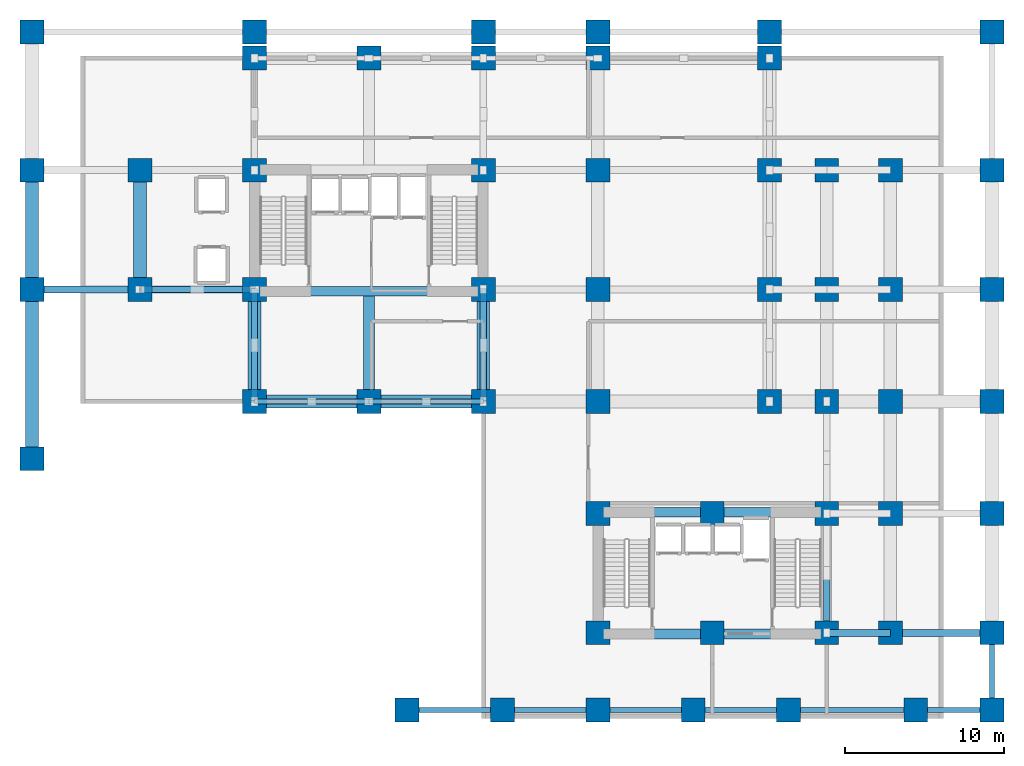
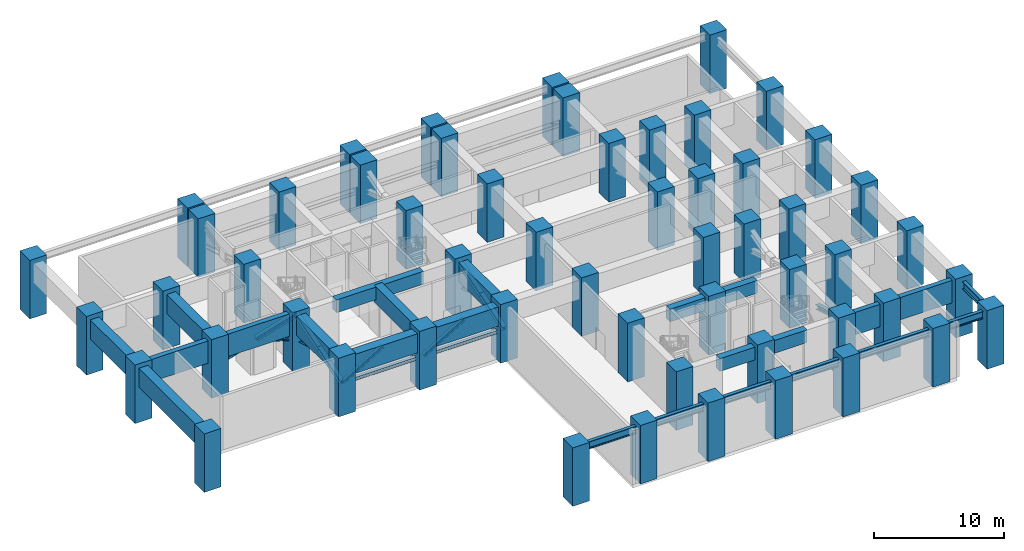
# One storey, part 1 of 9: 55 columns, 22 beams, 16 members.
"""IFC4 building model written with IfcOpenShell, lengths in metres."""

import ifcopenshell
import ifcopenshell.guid

model = None  # the IFC model being written
_history = None  # IfcOwnerHistory: only IFC2X3 demands one
_inside = {}  # id of a spatial element -> (the spatial element, [elements in it])
_under = {}  # id of a project, library or spatial element -> (it, [spatial elements below it])
_declared = {}  # id of a project -> (the project, [libraries it declares])
_typed = {}  # id of a type object -> (the type object, [elements of that type])
_made_of = {}  # id of a material, layer set ... -> (it, [elements and type objects made of it])


def new_model(schema):
    """Start an empty IFC model of exactly this schema.

    Asked for "IFC4X3", IfcOpenShell would pick the latest addendum, in which some entities
    have other attributes; the version numbers below select the first issue.
    IFC2X3 requires an IfcOwnerHistory on every rooted entity: one is made here for all.
    """
    global model, _history
    if schema == "IFC4X3":
        model = ifcopenshell.file(schema_version=(4, 3, 0, 0))
    else:
        model = ifcopenshell.file(schema=schema)
    _inside.clear()
    _under.clear()
    _declared.clear()
    _typed.clear()
    _made_of.clear()
    _history = None
    if model.schema == "IFC2X3":
        org = make("IfcOrganization", Name="unknown")
        user = make(
            "IfcPersonAndOrganization",
            ThePerson=make("IfcPerson", FamilyName="unknown"),
            TheOrganization=org,
        )
        app = make(
            "IfcApplication",
            ApplicationDeveloper=org,
            Version="unknown",
            ApplicationFullName="unknown",
            ApplicationIdentifier="unknown",
        )
        _history = make(
            "IfcOwnerHistory",
            OwningUser=user,
            OwningApplication=app,
            ChangeAction="ADDED",
            CreationDate=0,
        )
    return model


def make(cls, **values):
    """One entity of the class cls with the attributes given. An attribute that is None is left unset."""
    return model.create_entity(
        cls, **{name: value for name, value in values.items() if value is not None}
    )


def rooted(cls, **values):
    """An entity with a GlobalId (a new one), such as an element, a storey or a relation."""
    return make(cls, GlobalId=ifcopenshell.guid.new(), OwnerHistory=_history, **values)


def si_unit(unit_type, name, prefix=None):
    """IfcSIUnit, for example si_unit("LENGTHUNIT", "METRE", prefix="MILLI")."""
    return make("IfcSIUnit", UnitType=unit_type, Prefix=prefix, Name=name)


def assignment(units):
    """IfcUnitAssignment: the units of a project."""
    return None if units is None else make("IfcUnitAssignment", Units=units)


def point(xyz):
    """IfcCartesianPoint."""
    return None if xyz is None else make("IfcCartesianPoint", Coordinates=xyz)


def direction(xyz):
    """IfcDirection."""
    return None if xyz is None else make("IfcDirection", DirectionRatios=xyz)


def frame(location, z_axis=None, x_axis=None):
    """IfcAxis2Placement3D, a coordinate frame: its origin and axes. An axis left out is left unset."""
    return make(
        "IfcAxis2Placement3D",
        Location=point(location),
        Axis=direction(z_axis),
        RefDirection=direction(x_axis),
    )


def frame_2d(location, x_axis=None):
    """IfcAxis2Placement2D, a coordinate frame in the plane: its origin and x axis."""
    return make(
        "IfcAxis2Placement2D", Location=point(location), RefDirection=direction(x_axis)
    )


def origin():
    """The frame at (0, 0, 0) with its axes left unset."""
    return frame((0.0, 0.0, 0.0))


def origin_2d():
    """The frame at (0, 0) in the plane with its x axis left unset."""
    return frame_2d((0.0, 0.0))


def place(relative_to, where):
    """IfcLocalPlacement: puts the frame where relative to a parent placement (None: the world)."""
    return make(
        "IfcLocalPlacement", PlacementRelTo=relative_to, RelativePlacement=where
    )


def context(
    kind, dimensions, precision=None, world=None, true_north=None, identifier=None
):
    """IfcGeometricRepresentationContext, for example the 3D "Model" context."""
    return make(
        "IfcGeometricRepresentationContext",
        ContextIdentifier=identifier,
        ContextType=kind,
        CoordinateSpaceDimension=dimensions,
        Precision=precision,
        WorldCoordinateSystem=world,
        TrueNorth=true_north,
    )


def subcontext(parent, identifier, kind, view, scale=None):
    """IfcGeometricRepresentationSubContext, for example "Body" below "Model"."""
    return make(
        "IfcGeometricRepresentationSubContext",
        ContextIdentifier=identifier,
        ContextType=kind,
        ParentContext=parent,
        TargetScale=scale,
        TargetView=view,
    )


def project(units=None, contexts=None):
    """IfcProject with its units and contexts."""
    return rooted(
        "IfcProject",
        Name="project",
        RepresentationContexts=contexts,
        UnitsInContext=assignment(units),
    )


def spatial(cls, under=None, at=None, **own):
    """A site, building, storey or space (cls), placed at a placement, below another one or the project."""
    s = rooted(cls, ObjectPlacement=at, **own)
    if under is not None:
        _under.setdefault(under.id(), (under, []))[1].append(s)
    return s


def profile(cls, at=None, kind="AREA", **sizes):
    """A parametric profile (cls). Its sizes go by their IFC names, for example OverallWidth=200.0."""
    return make(cls, ProfileType=kind, Position=at, **sizes)


def rectangle(**sizes):
    """IfcRectangleProfileDef."""
    return profile("IfcRectangleProfileDef", **sizes)


def i_section(**sizes):
    """IfcIShapeProfileDef."""
    return profile("IfcIShapeProfileDef", **sizes)


def extrude(swept, where, along, depth):
    """IfcExtrudedAreaSolid: the profile swept, set in the frame where, extruded along a direction by depth."""
    return make(
        "IfcExtrudedAreaSolid",
        SweptArea=swept,
        Position=where,
        ExtrudedDirection=direction(along),
        Depth=depth,
    )


def shape(context_of_items, identifier, shape_type, items):
    """IfcShapeRepresentation: the items that make up one representation, for example the "Body"."""
    return make(
        "IfcShapeRepresentation",
        ContextOfItems=context_of_items,
        RepresentationIdentifier=identifier,
        RepresentationType=shape_type,
        Items=items,
    )


def source(mapping_origin, context_of_items, identifier, shape_type, items):
    """IfcRepresentationMap: a shape defined once, which mapped items show again and again."""
    return make(
        "IfcRepresentationMap",
        MappingOrigin=mapping_origin,
        MappedRepresentation=shape(context_of_items, identifier, shape_type, items),
    )


def transform(
    local_origin,
    x_axis=None,
    y_axis=None,
    z_axis=None,
    scale=None,
    scale2=None,
    scale3=None,
    uniform=True,
):
    """IfcCartesianTransformationOperator3D, or its non-uniform kind. x_axis, y_axis, z_axis: its Axis1, 2, 3."""
    if uniform:
        return make(
            "IfcCartesianTransformationOperator3D",
            Axis1=direction(x_axis),
            Axis2=direction(y_axis),
            LocalOrigin=point(local_origin),
            Scale=scale,
            Axis3=direction(z_axis),
        )
    return make(
        "IfcCartesianTransformationOperator3DnonUniform",
        Axis1=direction(x_axis),
        Axis2=direction(y_axis),
        LocalOrigin=point(local_origin),
        Scale=scale,
        Axis3=direction(z_axis),
        Scale2=scale2,
        Scale3=scale3,
    )


def mapped(mapping_source, mapping_target):
    """IfcMappedItem: shows the shape of a source again, moved by a transform."""
    return make(
        "IfcMappedItem", MappingSource=mapping_source, MappingTarget=mapping_target
    )


def material(Name=None, Category=None):
    """IfcMaterial."""
    return make("IfcMaterial", Name=Name, Category=Category)


def material_profile(
    of_material, cross_section, Name=None, Category=None, Priority=None
):
    """IfcMaterialProfile: a cross section and its material."""
    return make(
        "IfcMaterialProfile",
        Name=Name,
        Material=of_material,
        Profile=cross_section,
        Priority=Priority,
        Category=Category,
    )


def profile_set(profiles, Name=None, composite=None):
    """IfcMaterialProfileSet."""
    return make(
        "IfcMaterialProfileSet",
        Name=Name,
        MaterialProfiles=profiles,
        CompositeProfile=composite,
    )


def made_of(thing, what):
    """Note that an element or type object is made of a material, layer set ...; save() writes the relation."""
    if what is not None:
        _made_of.setdefault(what.id(), (what, []))[1].append(thing)
    return thing


def type_object(cls, material=None, **own):
    """A type object (cls), such as IfcWallType, which elements share."""
    return made_of(rooted(cls, **own), material)


def element(
    cls,
    number,
    at=None,
    inside=None,
    cuts=None,
    type_object=None,
    material=None,
    context=None,
    identifier="Body",
    shape_type=None,
    held_by="IfcProductDefinitionShape",
    body=None,
    shapes=None,
    **own,
):
    """One element of the class cls, such as IfcWall. Its Tag is "e" and its number.

    at: its placement. inside: the storey or other place that contains it. cuts: it is an
    opening in that element (IfcRelVoidsElement). A single representation is given by context,
    identifier, shape_type and body (its items); several are given by shapes. held_by: the class
    of the entity that holds the representations. save() writes the other relations.
    """
    e = rooted(cls, Tag="e%d" % number, ObjectPlacement=at, **own)
    if body is not None:
        shapes = [shape(context, identifier, shape_type, body)]
    if shapes is not None:
        e.Representation = make(held_by, Representations=shapes)
    if inside is not None:
        _inside.setdefault(inside.id(), (inside, []))[1].append(e)
    if cuts is not None:
        rooted(
            "IfcRelVoidsElement", RelatingBuildingElement=cuts, RelatedOpeningElement=e
        )
    if type_object is not None:
        _typed.setdefault(type_object.id(), (type_object, []))[1].append(e)
    return made_of(e, material)


def aggregate(whole, parts):
    """IfcRelAggregates: a whole, such as a stair, and the parts it consists of."""
    return rooted("IfcRelAggregates", RelatingObject=whole, RelatedObjects=parts)


def save(model, path):
    """Write the relations noted so far, then the file.

    IfcRelAggregates (storeys below a building ...), IfcRelContainedInSpatialStructure (elements
    in a storey), IfcRelDefinesByType, IfcRelAssociatesMaterial and IfcRelDeclares: one each for
    every whole, place, type object, material and project.
    """
    for whole, parts in _under.values():
        aggregate(whole, parts)
    for where, things in _inside.values():
        rooted(
            "IfcRelContainedInSpatialStructure",
            RelatedElements=things,
            RelatingStructure=where,
        )
    for kind, things in _typed.values():
        rooted("IfcRelDefinesByType", RelatedObjects=things, RelatingType=kind)
    for what, things in _made_of.values():
        rooted("IfcRelAssociatesMaterial", RelatedObjects=things, RelatingMaterial=what)
    for by, libraries in _declared.values():
        rooted("IfcRelDeclares", RelatingContext=by, RelatedDefinitions=libraries)
    model.write(path)


model = new_model("IFC4")

# Units and contexts
model_context = context("Model", 3, precision=1e-05, world=origin(), true_north=direction((0.0, 1.0)))
body_context = subcontext(model_context, "Body", "Model", "MODEL_VIEW")
ifc_project = project(units=[si_unit("LENGTHUNIT", "METRE"), si_unit("AREAUNIT", "SQUARE_METRE"), si_unit("VOLUMEUNIT", "CUBIC_METRE"), si_unit("PLANEANGLEUNIT", "RADIAN"), si_unit("MASSUNIT", "GRAM", prefix="KILO")], contexts=[model_context])

# Site, building, storey
site_placement = place(None, origin())
site = spatial("IfcSite", under=ifc_project, at=site_placement, CompositionType="ELEMENT")
building_placement = place(site_placement, origin())
building = spatial("IfcBuilding", under=site, at=building_placement, Name="Kaliganga Portal Commons", CompositionType="ELEMENT")
storey_placement = place(building_placement, frame((0.0, 0.0, 19.800048828125)))
storey = spatial("IfcBuildingStorey", under=building, at=storey_placement, Name="L04", CompositionType="ELEMENT", Elevation=19.800048828125)

# Columns
ifc_material_1 = material(Name="Concrete C70/85", Category="concrete")
ifc_material_profile_1 = material_profile(ifc_material_1, rectangle(XDim=1.5, YDim=1.5, at=origin_2d()), Name="RC 1500x1500")
ifc_profile_set_1 = profile_set([ifc_material_profile_1], Name="Concrete C70/85")
column_type = type_object("IfcColumnType", Name="COL-MEGA-Z0", PredefinedType="COLUMN", material=ifc_profile_set_1)
shared_shape_1 = source(origin(), body_context, "Body", "SweptSolid", [
    extrude(rectangle(XDim=1.5, YDim=1.5, at=origin_2d()), origin(), (0.0, 0.0, 1.0), 5.5),
])
for number, where, z_axis, x_axis, name in (
    (1, (7.199951171875, 28.64990234375, 0.0), (0.0, 0.0, 1.0), (1.0, 0.0, 0.0), "Column MC-01 L04"),
    (2, (7.199951171875, 36.14990234375, 0.0), (0.0, 0.0, 1.0), (1.0, 0.0, 0.0), "Column MC-01 L04"),
    (3, (14.39990234375, 21.60009765625, 0.0), (0.0, 0.0, 1.0), (1.0, 0.0, 0.0), "Column MC-01 L04"),
    (4, (14.39990234375, 28.64990234375, 0.0), (0.0, 0.0, 1.0), (1.0, 0.0, 0.0), "Column MC-01 L04"),
    (5, (14.39990234375, 36.14990234375, 0.0), (0.0, 0.0, 1.0), (1.0, 0.0, 0.0), "Column MC-01 L04"),
    (6, (14.39990234375, 43.199951171875, 0.0), (0.0, 0.0, 1.0), (1.0, 0.0, 0.0), "Column MC-01 L04"),
    (7, (21.60009765625, 21.60009765625, 0.0), (0.0, 0.0, 1.0), (1.0, 0.0, 0.0), "Column MC-01 L04"),
    (8, (21.60009765625, 43.199951171875, 0.0), (0.0, 0.0, 1.0), (1.0, 0.0, 0.0), "Column MC-01 L04"),
    (9, (28.800048828125, 21.60009765625, 0.0), (0.0, 0.0, 1.0), (1.0, 0.0, 0.0), "Column MC-01 L04"),
    (10, (28.800048828125, 28.64990234375, 0.0), (0.0, 0.0, 1.0), (1.0, 0.0, 0.0), "Column MC-01 L04"),
    (11, (28.800048828125, 36.14990234375, 0.0), (0.0, 0.0, 1.0), (1.0, 0.0, 0.0), "Column MC-01 L04"),
    (12, (28.800048828125, 43.199951171875, 0.0), (0.0, 0.0, 1.0), (1.0, 0.0, 0.0), "Column MC-01 L04"),
    (13, (36.0, 21.60009765625, 0.0), (0.0, 0.0, 1.0), (1.0, 0.0, 0.0), "Column MC-01 L04"),
    (14, (36.0, 43.199951171875, 0.0), (0.0, 0.0, 1.0), (1.0, 0.0, 0.0), "Column MC-01 L04"),
    (15, (36.0, 28.64990234375, 0.0), (0.0, 0.0, 1.0), (1.0, 0.0, 0.0), "Column MC-01 L04"),
    (16, (36.0, 36.14990234375, 0.0), (0.0, 0.0, 1.0), (1.0, 0.0, 0.0), "Column MC-01 L04"),
    (17, (46.800048828125, 21.60009765625, 0.0), (0.0, 0.0, 1.0), (1.0, 0.0, 0.0), "Column MC-01 L04"),
    (18, (46.800048828125, 28.64990234375, 0.0), (0.0, 0.0, 1.0), (1.0, 0.0, 0.0), "Column MC-01 L04"),
    (19, (46.800048828125, 36.14990234375, 0.0), (0.0, 0.0, 1.0), (1.0, 0.0, 0.0), "Column MC-01 L04"),
    (20, (46.800048828125, 43.199951171875, 0.0), (0.0, 0.0, 1.0), (1.0, 0.0, 0.0), "Column MC-01 L04"),
    (21, (36.0, 7.050048828125, 0.0), (0.0, 0.0, 1.0), (1.0, 0.0, 0.0), "Column MC-01 L04"),
    (22, (36.0, 14.550048828125, 0.0), (0.0, 0.0, 1.0), (1.0, 0.0, 0.0), "Column MC-01 L04"),
    (23, (43.199951171875, 7.050048828125, 0.0), (0.0, 0.0, 1.0), (1.0, 0.0, 0.0), "Column MC-01 L04"),
    (24, (43.199951171875, 14.550048828125, 0.0), (0.0, 0.0, 1.0), (1.0, 0.0, 0.0), "Column MC-01 L04"),
    (25, (50.39990234375, 7.050048828125, 0.0), (0.0, 0.0, 1.0), (1.0, 0.0, 0.0), "Column MC-01 L04"),
    (26, (50.39990234375, 14.550048828125, 0.0), (0.0, 0.0, 1.0), (1.0, 0.0, 0.0), "Column MC-01 L04"),
    (27, (50.39990234375, 21.60009765625, 0.0), (0.0, 0.0, 1.0), (1.0, 0.0, 0.0), "Column MC-01 L04"),
    (28, (50.39990234375, 28.64990234375, 0.0), (0.0, 0.0, 1.0), (1.0, 0.0, 0.0), "Column MC-01 L04"),
    (29, (50.39990234375, 36.14990234375, 0.0), (0.0, 0.0, 1.0), (1.0, 0.0, 0.0), "Column MC-01 L04"),
    (30, (54.39990234375, 7.050048828125, 0.0), (0.0, 0.0, 1.0), (1.0, 0.0, 0.0), "Column MC-01 L04"),
    (31, (54.39990234375, 14.550048828125, 0.0), (0.0, 0.0, 1.0), (1.0, 0.0, 0.0), "Column MC-01 L04"),
    (32, (54.39990234375, 21.60009765625, 0.0), (0.0, 0.0, 1.0), (1.0, 0.0, 0.0), "Column MC-01 L04"),
    (33, (54.39990234375, 28.64990234375, 0.0), (0.0, 0.0, 1.0), (1.0, 0.0, 0.0), "Column MC-01 L04"),
    (34, (54.39990234375, 36.14990234375, 0.0), (0.0, 0.0, 1.0), (1.0, 0.0, 0.0), "Column MC-01 L04"),
    (35, (0.39990234375, 18.0, 0.0), (0.0, 0.0, 1.0), (1.0, 0.0, 0.0), "Column MC-01 L04"),
    (36, (0.39990234375, 28.64990234375, 0.0), (0.0, 0.0, 1.0), (1.0, 0.0, 0.0), "Column MC-01 L04"),
    (37, (0.39990234375, 36.14990234375, 0.0), (0.0, 0.0, 1.0), (1.0, 0.0, 0.0), "Column MC-01 L04"),
    (38, (0.39990234375, 44.85009765625, 0.0), (0.0, 0.0, 1.0), (1.0, 0.0, 0.0), "Column MC-01 L04"),
    (39, (14.39990234375, 44.85009765625, 0.0), (0.0, 0.0, 1.0), (1.0, 0.0, 0.0), "Column MC-01 L04"),
    (40, (28.800048828125, 44.85009765625, 0.0), (0.0, 0.0, 1.0), (1.0, 0.0, 0.0), "Column MC-01 L04"),
    (41, (36.0, 44.85009765625, 0.0), (0.0, 0.0, 1.0), (1.0, 0.0, 0.0), "Column MC-01 L04"),
    (42, (46.800048828125, 44.85009765625, 0.0), (0.0, 0.0, 1.0), (1.0, 0.0, 0.0), "Column MC-01 L04"),
    (43, (60.800048828125, 44.85009765625, 0.0), (0.0, 0.0, 1.0), (1.0, 0.0, 0.0), "Column MC-01 L04"),
    (44, (60.800048828125, 36.14990234375, 0.0), (0.0, 0.0, 1.0), (1.0, 0.0, 0.0), "Column MC-01 L04"),
    (45, (60.800048828125, 28.64990234375, 0.0), (0.0, 0.0, 1.0), (1.0, 0.0, 0.0), "Column MC-01 L04"),
    (46, (60.800048828125, 21.60009765625, 0.0), (0.0, 0.0, 1.0), (1.0, 0.0, 0.0), "Column MC-01 L04"),
    (47, (60.800048828125, 14.550048828125, 0.0), (0.0, 0.0, 1.0), (1.0, 0.0, 0.0), "Column MC-01 L04"),
    (48, (60.800048828125, 7.050048828125, 0.0), (0.0, 0.0, 1.0), (1.0, 0.0, 0.0), "Column MC-01 L04"),
    (49, (60.800048828125, 2.199951171875, 0.0), (0.0, 0.0, 1.0), (1.0, 0.0, 0.0), "Column MC-01 L04"),
    (50, (56.0, 2.199951171875, 0.0), (0.0, 0.0, 1.0), (1.0, 0.0, 0.0), "Column MC-01 L04"),
    (51, (48.0, 2.199951171875, 0.0), (0.0, 0.0, 1.0), (1.0, 0.0, 0.0), "Column MC-01 L04"),
    (52, (42.0, 2.199951171875, 0.0), (0.0, 0.0, 1.0), (1.0, 0.0, 0.0), "Column MC-01 L04"),
    (53, (36.0, 2.199951171875, 0.0), (0.0, 0.0, 1.0), (1.0, 0.0, 0.0), "Column MC-01 L04"),
    (54, (30.0, 2.199951171875, 0.0), (0.0, 0.0, 1.0), (1.0, 0.0, 0.0), "Column MC-01 L04"),
    (55, (24.0, 2.199951171875, 0.0), (0.0, 0.0, 1.0), (1.0, 0.0, 0.0), "Column MC-01 L04"),
):
    element("IfcColumn", number, at=place(storey_placement, frame(where, z_axis=z_axis, x_axis=x_axis)), inside=storey, type_object=column_type, Name=name, PredefinedType="COLUMN", context=body_context, shape_type="MappedRepresentation", body=[
        mapped(shared_shape_1, transform((0.0, 0.0, 0.0), x_axis=(1.0, 0.0, 0.0), y_axis=(0.0, 1.0, 0.0), z_axis=(0.0, 0.0, 1.0), scale=1.0)),
    ])

# Beams
ifc_material_2 = material(Name="Concrete C60/75", Category="concrete")
ifc_material_profile_2 = material_profile(ifc_material_2, rectangle(XDim=0.60009765625, YDim=1.199951171875, at=origin_2d()), Name="RC 600x1200")
ifc_profile_set_2 = profile_set([ifc_material_profile_2], Name="Concrete C60/75")
beam_type_1 = type_object("IfcBeamType", Name="BM-CPL-1200", PredefinedType="LINTEL", material=ifc_profile_set_2)
shared_shape_2 = source(origin(), body_context, "Body", "SweptSolid", [
    extrude(rectangle(XDim=0.60009765625, YDim=1.199951171875, at=origin_2d()), origin(), (0.0, 0.0, 1.0), 7.739990234375),
])
for number, where, z_axis, x_axis, name in (
    (56, (17.72998046875, 28.52490234375, 4.47998046875), (1.0, 0.0, 0.0), (0.0, 1.0, 0.0), "BM CPL COREA L04 S"),
    (57, (39.330078125, 6.97509765625, 4.47998046875), (1.0, 0.0, 0.0), (0.0, 1.0, 0.0), "BM CPL COREB L04 S"),
    (58, (39.330078125, 14.625, 4.47998046875), (1.0, 0.0, 0.0), (0.0, 1.0, 0.0), "BM CPL COREB L04 N"),
):
    element("IfcBeam", number, at=place(storey_placement, frame(where, z_axis=z_axis, x_axis=x_axis)), inside=storey, type_object=beam_type_1, Name=name, PredefinedType="LINTEL", context=body_context, shape_type="MappedRepresentation", body=[
        mapped(shared_shape_2, transform((0.0, 0.0, 0.0), x_axis=(1.0, 0.0, 0.0), y_axis=(0.0, 1.0, 0.0), z_axis=(0.0, 0.0, 1.0), scale=1.0)),
    ])
ifc_material_3 = material(Name="Structural steel S355J2", Category="steel")
ifc_material_profile_3 = material_profile(ifc_material_3, i_section(OverallWidth=0.300048828125, OverallDepth=0.699951171875, WebThickness=0.01708984375, FlangeThickness=0.031982421875, FilletRadius=0.027099609375, at=origin_2d()), Name="HE 700 B")
ifc_profile_set_3 = profile_set([ifc_material_profile_3], Name="Structural steel S355J2 wide-flange")
beam_type_2 = type_object("IfcBeamType", Name="BM-GIRD-700", PredefinedType="USERDEFINED", material=ifc_profile_set_3)
shared_shape_3 = source(origin(), body_context, "Body", "SweptSolid", [
    extrude(i_section(OverallWidth=0.300048828125, OverallDepth=0.699951171875, WebThickness=0.01708984375, FlangeThickness=0.031982421875, FilletRadius=0.027099609375, at=origin_2d()), origin(), (0.0, 0.0, 1.0), 4.85009765625),
])
beam_1_placement = place(storey_placement, frame((60.800048828125, 2.199951171875, 4.72998046875), z_axis=(0.0, 1.0, 0.0), x_axis=(-1.0, 0.0, 0.0)))
element("IfcBeam", 59, at=beam_1_placement, inside=storey, type_object=beam_type_2, Name="Transfer Girder BM XFER L04 E60S", ObjectType="GIRDER", PredefinedType="USERDEFINED", context=body_context, shape_type="MappedRepresentation", body=[
    mapped(shared_shape_3, transform((0.0, 0.0, 0.0), x_axis=(1.0, 0.0, 0.0), y_axis=(0.0, 1.0, 0.0), z_axis=(0.0, 0.0, 1.0), scale=1.0)),
])
shared_shape_4 = source(origin(), body_context, "Body", "SweptSolid", [
    extrude(i_section(OverallWidth=0.300048828125, OverallDepth=0.699951171875, WebThickness=0.01708984375, FlangeThickness=0.031982421875, FilletRadius=0.027099609375, at=origin_2d()), origin(), (0.0, 0.0, 1.0), 6.0),
])
for number, where, z_axis, x_axis, name in (
    (60, (24.0, 2.199951171875, 4.72998046875), (1.0, 0.0, 0.0), (0.0, 1.0, 0.0), "Transfer Girder BM XFER L04 S02 1"),
    (61, (30.0, 2.199951171875, 4.72998046875), (1.0, 0.0, 0.0), (0.0, 1.0, 0.0), "Transfer Girder BM XFER L04 S02 2"),
    (62, (36.0, 2.199951171875, 4.72998046875), (1.0, 0.0, 0.0), (0.0, 1.0, 0.0), "Transfer Girder BM XFER L04 S02 3"),
    (63, (42.0, 2.199951171875, 4.72998046875), (1.0, 0.0, 0.0), (0.0, 1.0, 0.0), "Transfer Girder BM XFER L04 S02 4"),
):
    element("IfcBeam", number, at=place(storey_placement, frame(where, z_axis=z_axis, x_axis=x_axis)), inside=storey, type_object=beam_type_2, Name=name, ObjectType="GIRDER", PredefinedType="USERDEFINED", context=body_context, shape_type="MappedRepresentation", body=[
        mapped(shared_shape_4, transform((0.0, 0.0, 0.0), x_axis=(1.0, 0.0, 0.0), y_axis=(0.0, 1.0, 0.0), z_axis=(0.0, 0.0, 1.0), scale=1.0)),
    ])
shared_shape_5 = source(origin(), body_context, "Body", "SweptSolid", [
    extrude(i_section(OverallWidth=0.300048828125, OverallDepth=0.699951171875, WebThickness=0.01708984375, FlangeThickness=0.031982421875, FilletRadius=0.027099609375, at=origin_2d()), origin(), (0.0, 0.0, 1.0), 8.0),
])
beam_2_placement = place(storey_placement, frame((48.0, 2.199951171875, 4.72998046875), z_axis=(1.0, 0.0, 0.0), x_axis=(0.0, 1.0, 0.0)))
element("IfcBeam", 64, at=beam_2_placement, inside=storey, type_object=beam_type_2, Name="Transfer Girder BM XFER L04 S02 5", ObjectType="GIRDER", PredefinedType="USERDEFINED", context=body_context, shape_type="MappedRepresentation", body=[
    mapped(shared_shape_5, transform((0.0, 0.0, 0.0), x_axis=(1.0, 0.0, 0.0), y_axis=(0.0, 1.0, 0.0), z_axis=(0.0, 0.0, 1.0), scale=1.0)),
])
shared_shape_6 = source(origin(), body_context, "Body", "SweptSolid", [
    extrude(i_section(OverallWidth=0.300048828125, OverallDepth=0.699951171875, WebThickness=0.01708984375, FlangeThickness=0.031982421875, FilletRadius=0.027099609375, at=origin_2d()), origin(), (0.0, 0.0, 1.0), 4.800048828125),
])
beam_3_placement = place(storey_placement, frame((56.0, 2.199951171875, 4.72998046875), z_axis=(1.0, 0.0, 0.0), x_axis=(0.0, 1.0, 0.0)))
element("IfcBeam", 65, at=beam_3_placement, inside=storey, type_object=beam_type_2, Name="Transfer Girder BM XFER L04 S02 6", ObjectType="GIRDER", PredefinedType="USERDEFINED", context=body_context, shape_type="MappedRepresentation", body=[
    mapped(shared_shape_6, transform((0.0, 0.0, 0.0), x_axis=(1.0, 0.0, 0.0), y_axis=(0.0, 1.0, 0.0), z_axis=(0.0, 0.0, 1.0), scale=1.0)),
])
ifc_material_profile_4 = material_profile(ifc_material_1, rectangle(XDim=0.800048828125, YDim=1.800048828125, at=origin_2d()), Name="RC 800x1800")
ifc_profile_set_4 = profile_set([ifc_material_profile_4], Name="Concrete C70/85")
beam_type_3 = type_object("IfcBeamType", Name="BM-XFER-1800", PredefinedType="T_BEAM", material=ifc_profile_set_4)
shared_shape_7 = source(origin(), body_context, "Body", "SweptSolid", [
    extrude(rectangle(XDim=0.800048828125, YDim=1.800048828125, at=origin_2d()), origin(), (0.0, 0.0, 1.0), 7.2001953125),
])
beam_4_placement = place(storey_placement, frame((14.39990234375, 21.60009765625, 4.179931640625), z_axis=(1.0, 0.0, 0.0), x_axis=(0.0, 1.0, 0.0)))
element("IfcBeam", 66, at=beam_4_placement, inside=storey, type_object=beam_type_3, Name="Transfer Girder BM XFER L04 ASW 1", PredefinedType="T_BEAM", context=body_context, shape_type="MappedRepresentation", body=[
    mapped(shared_shape_7, transform((0.0, 0.0, 0.0), x_axis=(1.0, 0.0, 0.0), y_axis=(0.0, 1.0, 0.0), z_axis=(0.0, 0.0, 1.0), scale=1.0)),
])
shared_shape_8 = source(origin(), body_context, "Body", "SweptSolid", [
    extrude(rectangle(XDim=0.800048828125, YDim=1.800048828125, at=origin_2d()), origin(), (0.0, 0.0, 1.0), 7.199951171875),
])
beam_5_placement = place(storey_placement, frame((21.60009765625, 21.60009765625, 4.179931640625), z_axis=(1.0, 0.0, 0.0), x_axis=(0.0, 1.0, 0.0)))
element("IfcBeam", 67, at=beam_5_placement, inside=storey, type_object=beam_type_3, Name="Transfer Girder BM XFER L04 ASW 2", PredefinedType="T_BEAM", context=body_context, shape_type="MappedRepresentation", body=[
    mapped(shared_shape_8, transform((0.0, 0.0, 0.0), x_axis=(1.0, 0.0, 0.0), y_axis=(0.0, 1.0, 0.0), z_axis=(0.0, 0.0, 1.0), scale=1.0)),
])
ifc_material_profile_5 = material_profile(ifc_material_1, rectangle(XDim=0.43994140625, YDim=2.10009765625, at=origin_2d()), Name="RC 440x2100")
ifc_profile_set_5 = profile_set([ifc_material_profile_5], Name="Concrete C70/85")
beam_type_4 = type_object("IfcBeamType", Name="BM-XFER-SLIM", PredefinedType="T_BEAM", material=ifc_profile_set_5)
shared_shape_9 = source(origin(), body_context, "Body", "SweptSolid", [
    extrude(rectangle(XDim=0.43994140625, YDim=2.10009765625, at=origin_2d()), origin(), (0.0, 0.0, 1.0), 6.800048828125),
])
beam_6_placement = place(storey_placement, frame((0.39990234375, 28.64990234375, 4.030029296875), z_axis=(1.0, 0.0, 0.0), x_axis=(0.0, 1.0, 0.0)))
element("IfcBeam", 68, at=beam_6_placement, inside=storey, type_object=beam_type_4, Name="Transfer Girder BM XFER L04 WW1 1", PredefinedType="T_BEAM", context=body_context, shape_type="MappedRepresentation", body=[
    mapped(shared_shape_9, transform((0.0, 0.0, 0.0), x_axis=(1.0, 0.0, 0.0), y_axis=(0.0, 1.0, 0.0), z_axis=(0.0, 0.0, 1.0), scale=1.0)),
])
shared_shape_10 = source(origin(), body_context, "Body", "SweptSolid", [
    extrude(rectangle(XDim=0.43994140625, YDim=2.10009765625, at=origin_2d()), origin(), (0.0, 0.0, 1.0), 7.199951171875),
])
beam_7_placement = place(storey_placement, frame((7.199951171875, 28.64990234375, 4.030029296875), z_axis=(1.0, 0.0, 0.0), x_axis=(0.0, 1.0, 0.0)))
element("IfcBeam", 69, at=beam_7_placement, inside=storey, type_object=beam_type_4, Name="Transfer Girder BM XFER L04 WW1 2", PredefinedType="T_BEAM", context=body_context, shape_type="MappedRepresentation", body=[
    mapped(shared_shape_10, transform((0.0, 0.0, 0.0), x_axis=(1.0, 0.0, 0.0), y_axis=(0.0, 1.0, 0.0), z_axis=(0.0, 0.0, 1.0), scale=1.0)),
])
shared_shape_11 = source(origin(), body_context, "Body", "SweptSolid", [
    extrude(rectangle(XDim=0.43994140625, YDim=2.10009765625, at=origin_2d()), origin(), (0.0, 0.0, 1.0), 4.0),
])
beam_8_placement = place(storey_placement, frame((50.39990234375, 7.050048828125, 4.030029296875), z_axis=(1.0, 0.0, 0.0), x_axis=(0.0, 1.0, 0.0)))
element("IfcBeam", 70, at=beam_8_placement, inside=storey, type_object=beam_type_4, Name="Transfer Girder BM XFER L04 WB1 1", PredefinedType="T_BEAM", context=body_context, shape_type="MappedRepresentation", body=[
    mapped(shared_shape_11, transform((0.0, 0.0, 0.0), x_axis=(1.0, 0.0, 0.0), y_axis=(0.0, 1.0, 0.0), z_axis=(0.0, 0.0, 1.0), scale=1.0)),
])
shared_shape_12 = source(origin(), body_context, "Body", "SweptSolid", [
    extrude(rectangle(XDim=0.43994140625, YDim=2.10009765625, at=origin_2d()), origin(), (0.0, 0.0, 1.0), 6.400146484375),
])
beam_9_placement = place(storey_placement, frame((54.39990234375, 7.050048828125, 4.030029296875), z_axis=(1.0, 0.0, 0.0), x_axis=(0.0, 1.0, 0.0)))
element("IfcBeam", 71, at=beam_9_placement, inside=storey, type_object=beam_type_4, Name="Transfer Girder BM XFER L04 WB1 2", PredefinedType="T_BEAM", context=body_context, shape_type="MappedRepresentation", body=[
    mapped(shared_shape_12, transform((0.0, 0.0, 0.0), x_axis=(1.0, 0.0, 0.0), y_axis=(0.0, 1.0, 0.0), z_axis=(0.0, 0.0, 1.0), scale=1.0)),
])
ifc_material_profile_6 = material_profile(ifc_material_2, rectangle(XDim=0.699951171875, YDim=1.60009765625, at=origin_2d()), Name="RC 700x1600")
ifc_profile_set_6 = profile_set([ifc_material_profile_6], Name="Concrete C60/75")
beam_type_5 = type_object("IfcBeamType", Name="BM-XFER-1600", PredefinedType="T_BEAM", material=ifc_profile_set_6)
shared_shape_13 = source(origin(), body_context, "Body", "SweptSolid", [
    extrude(rectangle(XDim=0.699951171875, YDim=1.60009765625, at=origin_2d()), origin(), (0.0, 0.0, 1.0), 6.9248046875),
])
beam_10_placement = place(storey_placement, frame((21.60009765625, 21.60009765625, 4.280029296875), z_axis=(0.0, 1.0, 0.0), x_axis=(-1.0, 0.0, 0.0)))
element("IfcBeam", 72, at=beam_10_placement, inside=storey, type_object=beam_type_5, Name="Transfer Girder BM XFER L04 CAS216", PredefinedType="T_BEAM", context=body_context, shape_type="MappedRepresentation", body=[
    mapped(shared_shape_13, transform((0.0, 0.0, 0.0), x_axis=(1.0, 0.0, 0.0), y_axis=(0.0, 1.0, 0.0), z_axis=(0.0, 0.0, 1.0), scale=1.0)),
])
shared_shape_14 = source(origin(), body_context, "Body", "SweptSolid", [
    extrude(rectangle(XDim=0.800048828125, YDim=1.800048828125, at=origin_2d()), origin(), (0.0, 0.0, 1.0), 7.5),
])
for number, where, z_axis, x_axis, name in (
    (73, (7.199951171875, 28.64990234375, 4.179931640625), (0.0, 1.0, 0.0), (-1.0, 0.0, 0.0), "Transfer Girder BM XFER L04 NS72 1"),
    (74, (0.39990234375, 28.64990234375, 4.179931640625), (0.0, 1.0, 0.0), (-1.0, 0.0, 0.0), "Transfer Girder BM XFER L04 NS4 2"),
):
    element("IfcBeam", number, at=place(storey_placement, frame(where, z_axis=z_axis, x_axis=x_axis)), inside=storey, type_object=beam_type_3, Name=name, PredefinedType="T_BEAM", context=body_context, shape_type="MappedRepresentation", body=[
        mapped(shared_shape_14, transform((0.0, 0.0, 0.0), x_axis=(1.0, 0.0, 0.0), y_axis=(0.0, 1.0, 0.0), z_axis=(0.0, 0.0, 1.0), scale=1.0)),
    ])
shared_shape_15 = source(origin(), body_context, "Body", "SweptSolid", [
    extrude(rectangle(XDim=0.800048828125, YDim=1.800048828125, at=origin_2d()), origin(), (0.0, 0.0, 1.0), 7.0498046875),
])
for number, where, z_axis, x_axis, name in (
    (75, (14.39990234375, 21.60009765625, 4.179931640625), (0.0, 1.0, 0.0), (-1.0, 0.0, 0.0), "Transfer Girder BM XFER L04 NS144 1"),
    (76, (28.800048828125, 21.60009765625, 4.179931640625), (0.0, 1.0, 0.0), (-1.0, 0.0, 0.0), "Transfer Girder BM XFER L04 NS288 1"),
):
    element("IfcBeam", number, at=place(storey_placement, frame(where, z_axis=z_axis, x_axis=x_axis)), inside=storey, type_object=beam_type_3, Name=name, PredefinedType="T_BEAM", context=body_context, shape_type="MappedRepresentation", body=[
        mapped(shared_shape_15, transform((0.0, 0.0, 0.0), x_axis=(1.0, 0.0, 0.0), y_axis=(0.0, 1.0, 0.0), z_axis=(0.0, 0.0, 1.0), scale=1.0)),
    ])
shared_shape_16 = source(origin(), body_context, "Body", "SweptSolid", [
    extrude(rectangle(XDim=0.800048828125, YDim=1.800048828125, at=origin_2d()), origin(), (0.0, 0.0, 1.0), 10.64990234375),
])
beam_11_placement = place(storey_placement, frame((0.39990234375, 18.0, 4.179931640625), z_axis=(0.0, 1.0, 0.0), x_axis=(-1.0, 0.0, 0.0)))
element("IfcBeam", 77, at=beam_11_placement, inside=storey, type_object=beam_type_3, Name="Transfer Girder BM XFER L04 NS4 1", PredefinedType="T_BEAM", context=body_context, shape_type="MappedRepresentation", body=[
    mapped(shared_shape_16, transform((0.0, 0.0, 0.0), x_axis=(1.0, 0.0, 0.0), y_axis=(0.0, 1.0, 0.0), z_axis=(0.0, 0.0, 1.0), scale=1.0)),
])

# Members
ifc_material_4 = material(Name="Structural steel S460M", Category="steel")
ifc_material_profile_7 = material_profile(ifc_material_4, i_section(OverallWidth=0.412109375, OverallDepth=0.43798828125, WebThickness=0.02685546875, FlangeThickness=0.03662109375, FilletRadius=0.014892578125, at=origin_2d()), Name="HD 400x463")
ifc_profile_set_7 = profile_set([ifc_material_profile_7], Name="Structural steel S460M wide-flange")
member_type_1 = type_object("IfcMemberType", Name="MBR-OUTRIG-509", PredefinedType="USERDEFINED", material=ifc_profile_set_7)
shared_shape_17 = source(origin(), body_context, "Body", "SweptSolid", [
    extrude(i_section(OverallWidth=0.412109375, OverallDepth=0.43798828125, WebThickness=0.02685546875, FlangeThickness=0.03662109375, FilletRadius=0.014892578125, at=origin_2d()), origin(), (0.0, 0.0, 1.0), 7.522705078125),
])
member_1_placement = place(storey_placement, frame((14.39990234375, 28.64990234375, 2.550048828125), z_axis=(-0.957093433633, 0.0, 0.289779501167), x_axis=(0.0, -1.0, 0.0)))
element("IfcMember", 78, at=member_1_placement, inside=storey, type_object=member_type_1, Name="Outrigger Strut OT-L04-01A", ObjectType="OUTRIGGER", PredefinedType="USERDEFINED", context=body_context, shape_type="MappedRepresentation", body=[
    mapped(shared_shape_17, transform((0.0, 0.0, 0.0), x_axis=(1.0, 0.0, 0.0), y_axis=(0.0, 1.0, 0.0), z_axis=(0.0, 0.0, 1.0), scale=1.0)),
])
ifc_material_profile_8 = material_profile(ifc_material_4, i_section(OverallWidth=0.39794921875, OverallDepth=0.39404296875, WebThickness=0.01611328125, FlangeThickness=0.021484375, FilletRadius=0.014892578125, at=origin_2d()), Name="HD 400x262")
ifc_profile_set_8 = profile_set([ifc_material_profile_8], Name="Structural steel S460M wide-flange")
member_type_2 = type_object("IfcMemberType", Name="MBR-XFER-DIAG", PredefinedType="BRACE", material=ifc_profile_set_8)
shared_shape_18 = source(origin(), body_context, "Body", "SweptSolid", [
    extrude(i_section(OverallWidth=0.39794921875, OverallDepth=0.39404296875, WebThickness=0.01611328125, FlangeThickness=0.021484375, FilletRadius=0.014892578125, at=origin_2d()), origin(), (0.0, 0.0, 1.0), 3.76123046875),
])
member_2_placement = place(storey_placement, frame((14.39990234375, 28.64990234375, 4.72998046875), z_axis=(-0.957081706466, 0.0, -0.289818231222), x_axis=(0.0, -1.0, 0.0)))
element("IfcMember", 79, at=member_2_placement, inside=storey, type_object=member_type_2, Name="Podium Transfer Truss Diagonal PTD-L04-01B1", PredefinedType="BRACE", context=body_context, shape_type="MappedRepresentation", body=[
    mapped(shared_shape_18, transform((0.0, 0.0, 0.0), x_axis=(1.0, 0.0, 0.0), y_axis=(0.0, 1.0, 0.0), z_axis=(0.0, 0.0, 1.0), scale=1.0)),
])
shared_shape_19 = source(origin(), body_context, "Body", "SweptSolid", [
    extrude(i_section(OverallWidth=0.39794921875, OverallDepth=0.39404296875, WebThickness=0.01611328125, FlangeThickness=0.021484375, FilletRadius=0.014892578125, at=origin_2d()), origin(), (0.0, 0.0, 1.0), 3.761474609375),
])
member_3_placement = place(storey_placement, frame((10.800048828125, 28.64990234375, 3.639892578125), z_axis=(-0.957105158725, 0.0, -0.289740772315), x_axis=(0.0, -1.0, 0.0)))
element("IfcMember", 80, at=member_3_placement, inside=storey, type_object=member_type_2, Name="Podium Transfer Truss Diagonal PTD-L04-01B2", PredefinedType="BRACE", context=body_context, shape_type="MappedRepresentation", body=[
    mapped(shared_shape_19, transform((0.0, 0.0, 0.0), x_axis=(1.0, 0.0, 0.0), y_axis=(0.0, 1.0, 0.0), z_axis=(0.0, 0.0, 1.0), scale=1.0)),
])
shared_shape_20 = source(origin(), body_context, "Body", "SweptSolid", [
    extrude(i_section(OverallWidth=0.412109375, OverallDepth=0.43798828125, WebThickness=0.02685546875, FlangeThickness=0.03662109375, FilletRadius=0.014892578125, at=origin_2d()), origin(), (0.0, 0.0, 1.0), 7.379150390625),
])
for number, where, z_axis, x_axis, name in (
    (81, (14.39990234375, 28.64990234375, 2.550048828125), (0.0, -0.955368181548, 0.29541773421), (1.0, 0.0, 0.0), "Outrigger Strut OT-L04-02A"),
    (82, (28.800048828125, 28.64990234375, 2.550048828125), (0.0, -0.955368181548, 0.29541773421), (1.0, 0.0, 0.0), "Outrigger Strut OT-L04-03A"),
):
    element("IfcMember", number, at=place(storey_placement, frame(where, z_axis=z_axis, x_axis=x_axis)), inside=storey, type_object=member_type_1, Name=name, ObjectType="OUTRIGGER", PredefinedType="USERDEFINED", context=body_context, shape_type="MappedRepresentation", body=[
        mapped(shared_shape_20, transform((0.0, 0.0, 0.0), x_axis=(1.0, 0.0, 0.0), y_axis=(0.0, 1.0, 0.0), z_axis=(0.0, 0.0, 1.0), scale=1.0)),
    ])
shared_shape_21 = source(origin(), body_context, "Body", "SweptSolid", [
    extrude(i_section(OverallWidth=0.39794921875, OverallDepth=0.39404296875, WebThickness=0.01611328125, FlangeThickness=0.021484375, FilletRadius=0.014892578125, at=origin_2d()), origin(), (0.0, 0.0, 1.0), 3.689697265625),
])
for number, where, z_axis, x_axis, name in (
    (83, (14.39990234375, 28.64990234375, 4.72998046875), (0.0, -0.955358843437, -0.295447931566), (1.0, 0.0, 0.0), "Podium Transfer Truss Diagonal PTD-L04-02B1"),
    (84, (28.800048828125, 28.64990234375, 4.72998046875), (0.0, -0.955358843437, -0.295447931566), (1.0, 0.0, 0.0), "Podium Transfer Truss Diagonal PTD-L04-03B1"),
):
    element("IfcMember", number, at=place(storey_placement, frame(where, z_axis=z_axis, x_axis=x_axis)), inside=storey, type_object=member_type_2, Name=name, PredefinedType="BRACE", context=body_context, shape_type="MappedRepresentation", body=[
        mapped(shared_shape_21, transform((0.0, 0.0, 0.0), x_axis=(1.0, 0.0, 0.0), y_axis=(0.0, 1.0, 0.0), z_axis=(0.0, 0.0, 1.0), scale=1.0)),
    ])
shared_shape_22 = source(origin(), body_context, "Body", "SweptSolid", [
    extrude(i_section(OverallWidth=0.39794921875, OverallDepth=0.39404296875, WebThickness=0.01611328125, FlangeThickness=0.021484375, FilletRadius=0.014892578125, at=origin_2d()), origin(), (0.0, 0.0, 1.0), 3.689453125),
])
for number, where, z_axis, x_axis, name in (
    (85, (14.39990234375, 25.125, 3.639892578125), (0.0, -0.955377518887, -0.295387535968), (1.0, 0.0, 0.0), "Podium Transfer Truss Diagonal PTD-L04-02B2"),
    (86, (28.800048828125, 25.125, 3.639892578125), (0.0, -0.955377518887, -0.295387535968), (1.0, 0.0, 0.0), "Podium Transfer Truss Diagonal PTD-L04-03B2"),
):
    element("IfcMember", number, at=place(storey_placement, frame(where, z_axis=z_axis, x_axis=x_axis)), inside=storey, type_object=member_type_2, Name=name, PredefinedType="BRACE", context=body_context, shape_type="MappedRepresentation", body=[
        mapped(shared_shape_22, transform((0.0, 0.0, 0.0), x_axis=(1.0, 0.0, 0.0), y_axis=(0.0, 1.0, 0.0), z_axis=(0.0, 0.0, 1.0), scale=1.0)),
    ])
shared_shape_23 = source(origin(), body_context, "Body", "SweptSolid", [
    extrude(i_section(OverallWidth=0.39794921875, OverallDepth=0.39404296875, WebThickness=0.01611328125, FlangeThickness=0.021484375, FilletRadius=0.014892578125, at=origin_2d()), origin(), (0.0, 0.0, 1.0), 3.9052734375),
])
member_4_placement = place(storey_placement, frame((50.39990234375, 7.050048828125, 4.72998046875), z_axis=(0.0, 0.960251677061, -0.279135660031), x_axis=(-1.0, 0.0, 0.0)))
element("IfcMember", 87, at=member_4_placement, inside=storey, type_object=member_type_2, Name="Podium Transfer Truss Diagonal PTD-L04-09B1", PredefinedType="BRACE", context=body_context, shape_type="MappedRepresentation", body=[
    mapped(shared_shape_23, transform((0.0, 0.0, 0.0), x_axis=(1.0, 0.0, 0.0), y_axis=(0.0, 1.0, 0.0), z_axis=(0.0, 0.0, 1.0), scale=1.0)),
])
ifc_material_profile_9 = material_profile(ifc_material_4, i_section(OverallWidth=0.300048828125, OverallDepth=0.2900390625, WebThickness=0.008544921875, FlangeThickness=0.013916015625, FilletRadius=0.027099609375, at=origin_2d()), Name="HE 300 A")
ifc_profile_set_9 = profile_set([ifc_material_profile_9], Name="Structural steel S460M wide-flange")
member_type_3 = type_object("IfcMemberType", Name="MBR-CHORD-300A", PredefinedType="CHORD", material=ifc_profile_set_9)
shared_shape_24 = source(origin(), body_context, "Body", "SweptSolid", [
    extrude(i_section(OverallWidth=0.300048828125, OverallDepth=0.2900390625, WebThickness=0.008544921875, FlangeThickness=0.013916015625, FilletRadius=0.027099609375, at=origin_2d()), origin(), (0.0, 0.0, 1.0), 7.2001953125),
])
member_5_placement = place(storey_placement, frame((14.39990234375, 21.60009765625, 2.550048828125), z_axis=(1.0, 0.0, 0.0), x_axis=(0.0, 1.0, 0.0)))
element("IfcMember", 88, at=member_5_placement, inside=storey, type_object=member_type_3, Name="Belt Truss Bottom Chord CHD-L04-05", PredefinedType="CHORD", context=body_context, shape_type="MappedRepresentation", body=[
    mapped(shared_shape_24, transform((0.0, 0.0, 0.0), x_axis=(1.0, 0.0, 0.0), y_axis=(0.0, 1.0, 0.0), z_axis=(0.0, 0.0, 1.0), scale=1.0)),
])
ifc_material_profile_10 = material_profile(ifc_material_4, i_section(OverallWidth=0.300048828125, OverallDepth=0.300048828125, WebThickness=0.010986328125, FlangeThickness=0.01904296875, FilletRadius=0.027099609375, at=origin_2d()), Name="HE 300 B")
ifc_profile_set_10 = profile_set([ifc_material_profile_10], Name="Structural steel S460M wide-flange")
member_type_4 = type_object("IfcMemberType", Name="MBR-BELT-300", PredefinedType="BRACE", material=ifc_profile_set_10)
shared_shape_25 = source(origin(), body_context, "Body", "SweptSolid", [
    extrude(i_section(OverallWidth=0.300048828125, OverallDepth=0.300048828125, WebThickness=0.010986328125, FlangeThickness=0.01904296875, FilletRadius=0.027099609375, at=origin_2d()), origin(), (0.0, 0.0, 1.0), 4.208740234375),
])
for number, where, z_axis, x_axis, name in (
    (89, (14.39990234375, 21.60009765625, 2.550048828125), (0.855402686165, 0.0, 0.517963555186), (0.0, 1.0, 0.0), "Belt Truss Diagonal BT-L04-05L"),
    (90, (21.60009765625, 21.60009765625, 2.550048828125), (-0.855402686165, 0.0, 0.517963555186), (0.0, -1.0, 0.0), "Belt Truss Diagonal BT-L04-05R"),
    (91, (28.800048828125, 21.60009765625, 2.550048828125), (-0.855402686165, 0.0, 0.517963555186), (0.0, -1.0, 0.0), "Belt Truss Diagonal BT-L04-06R"),
):
    element("IfcMember", number, at=place(storey_placement, frame(where, z_axis=z_axis, x_axis=x_axis)), inside=storey, type_object=member_type_4, Name=name, PredefinedType="BRACE", context=body_context, shape_type="MappedRepresentation", body=[
        mapped(shared_shape_25, transform((0.0, 0.0, 0.0), x_axis=(1.0, 0.0, 0.0), y_axis=(0.0, 1.0, 0.0), z_axis=(0.0, 0.0, 1.0), scale=1.0)),
    ])
shared_shape_26 = source(origin(), body_context, "Body", "SweptSolid", [
    extrude(i_section(OverallWidth=0.300048828125, OverallDepth=0.2900390625, WebThickness=0.008544921875, FlangeThickness=0.013916015625, FilletRadius=0.027099609375, at=origin_2d()), origin(), (0.0, 0.0, 1.0), 7.199951171875),
])
member_6_placement = place(storey_placement, frame((21.60009765625, 21.60009765625, 2.550048828125), z_axis=(1.0, 0.0, 0.0), x_axis=(0.0, 1.0, 0.0)))
element("IfcMember", 92, at=member_6_placement, inside=storey, type_object=member_type_3, Name="Belt Truss Bottom Chord CHD-L04-06", PredefinedType="CHORD", context=body_context, shape_type="MappedRepresentation", body=[
    mapped(shared_shape_26, transform((0.0, 0.0, 0.0), x_axis=(1.0, 0.0, 0.0), y_axis=(0.0, 1.0, 0.0), z_axis=(0.0, 0.0, 1.0), scale=1.0)),
])
shared_shape_27 = source(origin(), body_context, "Body", "SweptSolid", [
    extrude(i_section(OverallWidth=0.300048828125, OverallDepth=0.300048828125, WebThickness=0.010986328125, FlangeThickness=0.01904296875, FilletRadius=0.027099609375, at=origin_2d()), origin(), (0.0, 0.0, 1.0), 4.20849609375),
])
member_7_placement = place(storey_placement, frame((21.60009765625, 21.60009765625, 2.550048828125), z_axis=(0.855387121954, 0.0, 0.517989258185), x_axis=(0.0, 1.0, 0.0)))
element("IfcMember", 93, at=member_7_placement, inside=storey, type_object=member_type_4, Name="Belt Truss Diagonal BT-L04-06L", PredefinedType="BRACE", context=body_context, shape_type="MappedRepresentation", body=[
    mapped(shared_shape_27, transform((0.0, 0.0, 0.0), x_axis=(1.0, 0.0, 0.0), y_axis=(0.0, 1.0, 0.0), z_axis=(0.0, 0.0, 1.0), scale=1.0)),
])

save(model, "model.ifc")
